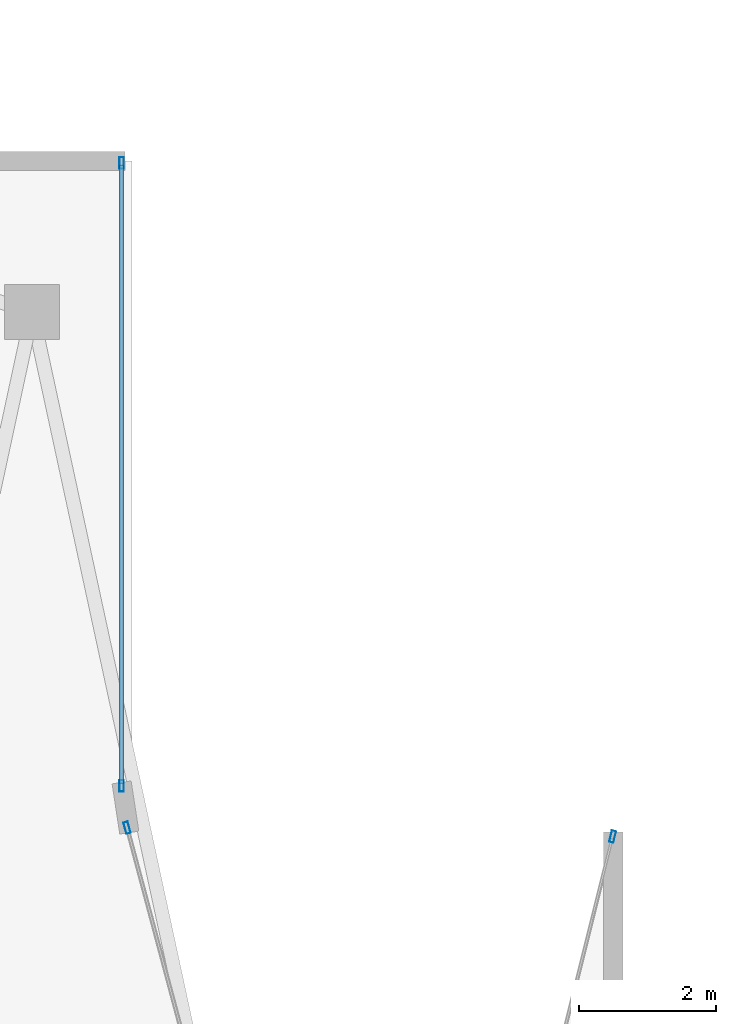
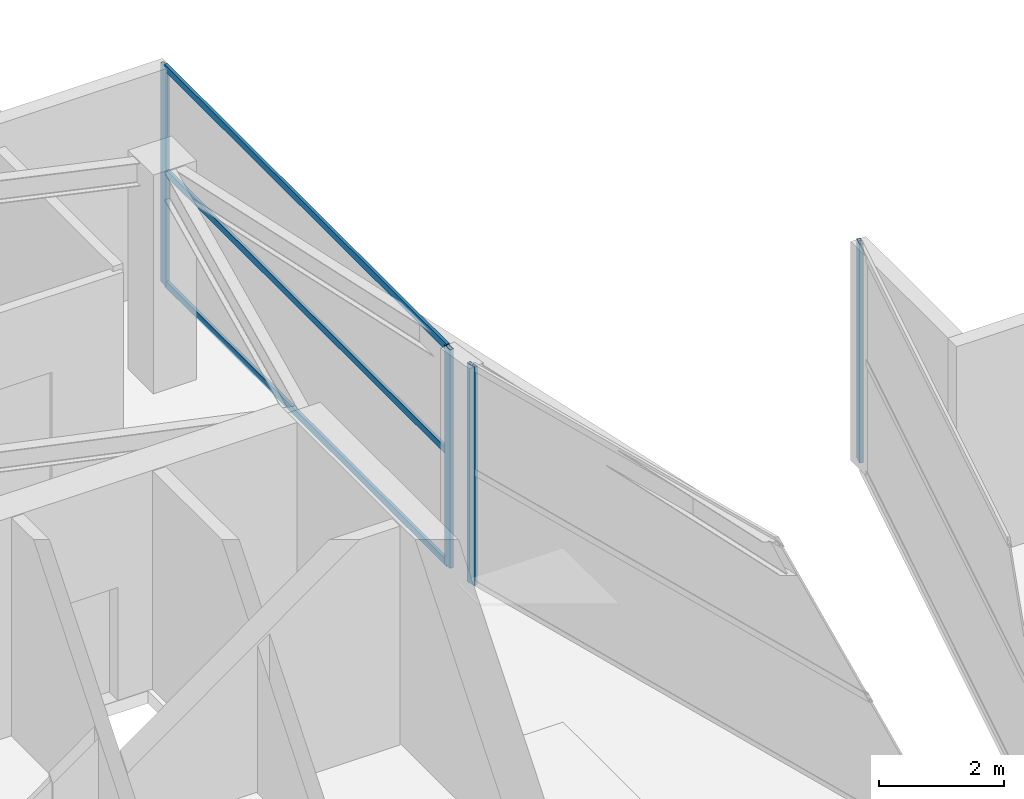
# One storey, part 18 of 25: 7 members, 3 elements without a shape of their own.
"""IFC4 building model written with IfcOpenShell, lengths in metres."""

from ifc_helpers import new_model, si_unit, direction, frame, origin, origin_2d, place, context, subcontext, project, spatial, hollow_rectangle, extrude, material, layer, layer_set, material_profile, profile_set, type_object, element, aggregate, save


model = new_model("IFC4")

# Units and contexts
model_context = context("Model", 3, precision=1e-05, world=origin(), true_north=direction((0.0, 1.0)))
body_context = subcontext(model_context, "Body", "Model", "MODEL_VIEW")
ifc_project = project(units=[si_unit("LENGTHUNIT", "METRE"), si_unit("AREAUNIT", "SQUARE_METRE"), si_unit("VOLUMEUNIT", "CUBIC_METRE"), si_unit("PLANEANGLEUNIT", "RADIAN"), si_unit("MASSUNIT", "GRAM", prefix="KILO")], contexts=[model_context])

# Site, building, storey
site_placement = place(None, origin())
site = spatial("IfcSite", under=ifc_project, at=site_placement, CompositionType="ELEMENT")
building_placement = place(site_placement, origin())
building = spatial("IfcBuilding", under=site, at=building_placement, Name="Calvorn Quay Hotel", CompositionType="ELEMENT")
storey_placement = place(building_placement, frame((0.0, 0.0, 311.5)))
storey = spatial("IfcBuildingStorey", under=building, at=storey_placement, Name="L77", CompositionType="ELEMENT", Elevation=311.5)

# Curtain wall, member
ifc_material_1 = material(Name="Champagne Bronze Anodised Aluminium and Low-E Glass", Category="aluminium")
ifc_layer = layer(ifc_material_1, 0.219970703125)
ifc_layer_set = layer_set([ifc_layer], Name="CW-SYS-Z4")
curtain_wall_type = type_object("IfcCurtainWallType", Name="CW-SYS-Z4", PredefinedType="NOTDEFINED", material=ifc_layer_set)
curtain_wall_1_placement = place(storey_placement, origin())
curtain_wall_1 = element("IfcCurtainWall", 1, at=curtain_wall_1_placement, inside=storey, type_object=curtain_wall_type, Name="Inner Court Curtain Wall L77-NE1", PredefinedType="NOTDEFINED")
ifc_material_2 = material(Name="Champagne Bronze Anodised Aluminium 6063-T6", Category="aluminium")
ifc_material_profile_1 = material_profile(ifc_material_2, hollow_rectangle(XDim=0.06494140625, YDim=0.169921875, WallThickness=0.00341796875, at=origin_2d()), Name="ALU-M170x65x3.5")
ifc_profile_set_1 = profile_set([ifc_material_profile_1], Name="Champagne Bronze Anodised Aluminium 6063-T6")
member_type_1 = type_object("IfcMemberType", Name="CW-SYS-Z4-MUL", PredefinedType="MULLION", material=ifc_profile_set_1)
member_1_placement = place(storey_placement, frame((24.99267578125, 37.970947265625, 0.0), z_axis=(0.0, 0.0, 1.0), x_axis=(0.970142500145, -0.242535625038, 0.0)))
member_1 = element("IfcMember", 2, at=member_1_placement, type_object=member_type_1, Name="CW-L77-NE1 mullion 1", PredefinedType="MULLION", context=body_context, shape_type="SweptSolid", body=[
    extrude(hollow_rectangle(XDim=0.06494140625, YDim=0.169921875, WallThickness=0.00341796875, at=origin_2d()), origin(), (0.0, 0.0, 1.0), 4.260009765625),
])
aggregate(curtain_wall_1, [member_1])

curtain_wall_2_placement = place(storey_placement, origin())
curtain_wall_2 = element("IfcCurtainWall", 3, at=curtain_wall_2_placement, inside=storey, type_object=curtain_wall_type, Name="Inner Court Curtain Wall L77-IC1", PredefinedType="NOTDEFINED")
member_2_placement = place(storey_placement, frame((17.9296875, 38.10107421875, 0.0), z_axis=(0.0, 0.0, 1.0), x_axis=(-0.96593652056, -0.25877913024, 0.0)))
member_2 = element("IfcMember", 4, at=member_2_placement, type_object=member_type_1, Name="CW-L77-IC1 mullion 2", PredefinedType="MULLION", context=body_context, shape_type="SweptSolid", body=[
    extrude(hollow_rectangle(XDim=0.06494140625, YDim=0.169921875, WallThickness=0.00341796875, at=origin_2d()), origin(), (0.0, 0.0, 1.0), 4.260009765625),
])
aggregate(curtain_wall_2, [member_2])

# Curtain wall, members
curtain_wall_3_placement = place(storey_placement, origin())
curtain_wall_3 = element("IfcCurtainWall", 5, at=curtain_wall_3_placement, inside=storey, type_object=curtain_wall_type, Name="Inner Court Curtain Wall L77-IC2", PredefinedType="NOTDEFINED")
member_3_placement = place(storey_placement, frame((17.85009765625, 38.7099609375, 0.0), z_axis=(0.0, 0.0, 1.0), x_axis=(-1.0, 0.0, 0.0)))
member_3 = element("IfcMember", 6, at=member_3_placement, type_object=member_type_1, Name="CW-L77-IC2 mullion 1", PredefinedType="MULLION", context=body_context, shape_type="SweptSolid", body=[
    extrude(hollow_rectangle(XDim=0.06494140625, YDim=0.169921875, WallThickness=0.00341796875, at=origin_2d()), origin(), (0.0, 0.0, 1.0), 4.260009765625),
])
member_4_placement = place(storey_placement, frame((17.85009765625, 47.77001953125, 0.0), z_axis=(0.0, 0.0, 1.0), x_axis=(-1.0, 0.0, 0.0)))
member_4 = element("IfcMember", 7, at=member_4_placement, type_object=member_type_1, Name="CW-L77-IC2 mullion 2", PredefinedType="MULLION", context=body_context, shape_type="SweptSolid", body=[
    extrude(hollow_rectangle(XDim=0.06494140625, YDim=0.169921875, WallThickness=0.00341796875, at=origin_2d()), origin(), (0.0, 0.0, 1.0), 4.260009765625),
])
ifc_material_3 = material(Name="Champagne Bronze Anodised Aluminium 6063-T6", Category="aluminium")
ifc_material_profile_2 = material_profile(ifc_material_3, hollow_rectangle(XDim=0.054931640625, YDim=0.1298828125, WallThickness=0.003173828125, at=origin_2d()), Name="ALU-T130x55x3.2")
ifc_profile_set_2 = profile_set([ifc_material_profile_2], Name="Champagne Bronze Anodised Aluminium 6063-T6")
member_type_2 = type_object("IfcMemberType", Name="CW-SYS-Z4-TRN", PredefinedType="USERDEFINED", material=ifc_profile_set_2)
member_5_placement = place(storey_placement, frame((17.85009765625, 38.739990234375, 0.030029296875), z_axis=(0.0, 1.0, 0.0), x_axis=(-1.0, 0.0, 0.0)))
member_5 = element("IfcMember", 8, at=member_5_placement, type_object=member_type_2, Name="CW-L77-IC2 transom 1.1", ObjectType="TRANSOM", PredefinedType="USERDEFINED", context=body_context, shape_type="SweptSolid", body=[
    extrude(hollow_rectangle(XDim=0.054931640625, YDim=0.1298828125, WallThickness=0.003173828125, at=origin_2d()), origin(), (0.0, 0.0, 1.0), 9.0),
])
member_6_placement = place(storey_placement, frame((17.85009765625, 38.739990234375, 2.199951171875), z_axis=(0.0, 1.0, 0.0), x_axis=(-1.0, 0.0, 0.0)))
member_6 = element("IfcMember", 9, at=member_6_placement, type_object=member_type_2, Name="CW-L77-IC2 transom 1.2", ObjectType="TRANSOM", PredefinedType="USERDEFINED", context=body_context, shape_type="SweptSolid", body=[
    extrude(hollow_rectangle(XDim=0.054931640625, YDim=0.1298828125, WallThickness=0.003173828125, at=origin_2d()), origin(), (0.0, 0.0, 1.0), 9.0),
])
member_7_placement = place(storey_placement, frame((17.85009765625, 38.739990234375, 4.22998046875), z_axis=(0.0, 1.0, 0.0), x_axis=(-1.0, 0.0, 0.0)))
member_7 = element("IfcMember", 10, at=member_7_placement, type_object=member_type_2, Name="CW-L77-IC2 transom 1.3", ObjectType="TRANSOM", PredefinedType="USERDEFINED", context=body_context, shape_type="SweptSolid", body=[
    extrude(hollow_rectangle(XDim=0.054931640625, YDim=0.1298828125, WallThickness=0.003173828125, at=origin_2d()), origin(), (0.0, 0.0, 1.0), 9.0),
])
aggregate(curtain_wall_3, [member_3, member_4, member_5, member_6, member_7])

save(model, "model.ifc")
